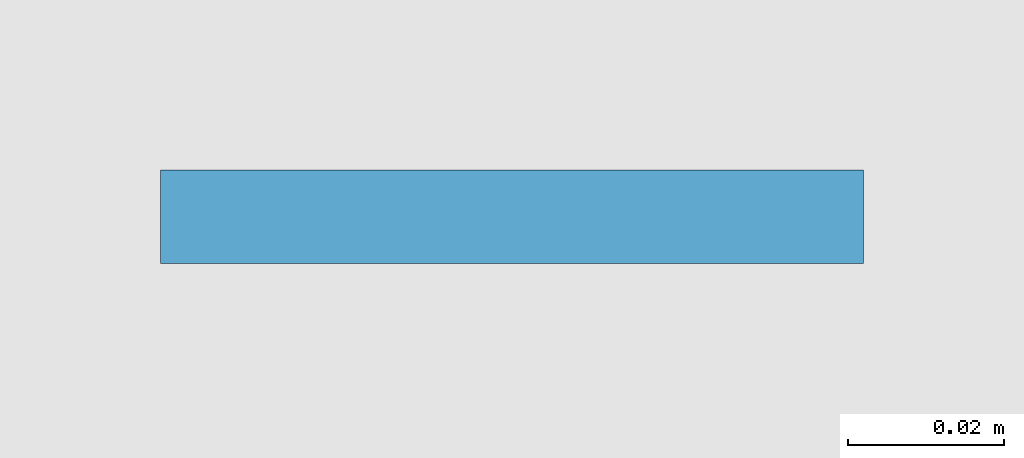
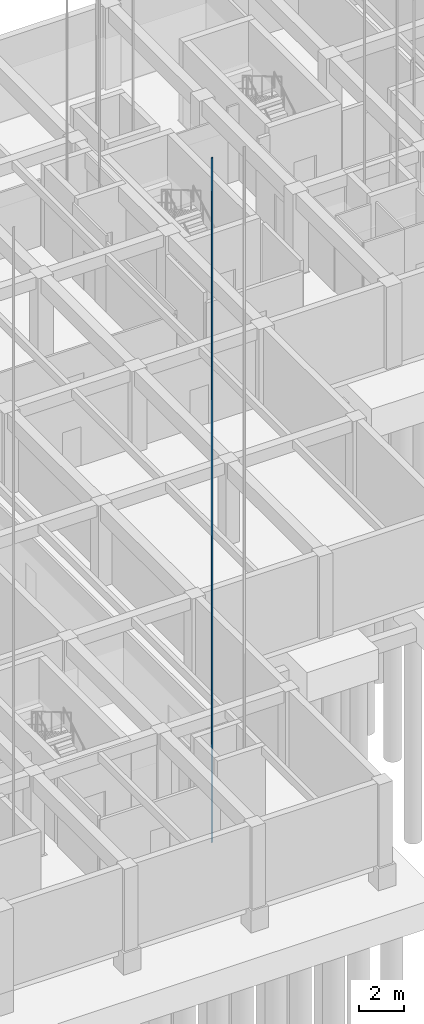
# One storey, part 18 of 44: 1 plate.
"""IFC4 building model written with IfcOpenShell, lengths in metres."""

from ifc_helpers import new_model, si_unit, direction, frame, origin, origin_2d, place, context, subcontext, project, spatial, rectangle, extrude, material, layer, layer_set, type_object, element, save


model = new_model("IFC4")

# Units and contexts
model_context = context("Model", 3, precision=1e-05, world=origin(), true_north=direction((0.0, 1.0)))
body_context = subcontext(model_context, "Body", "Model", "MODEL_VIEW")
ifc_project = project(units=[si_unit("LENGTHUNIT", "METRE"), si_unit("AREAUNIT", "SQUARE_METRE"), si_unit("VOLUMEUNIT", "CUBIC_METRE"), si_unit("PLANEANGLEUNIT", "RADIAN"), si_unit("MASSUNIT", "GRAM", prefix="KILO")], contexts=[model_context])

# Site, building, storey
site_placement = place(None, origin())
site = spatial("IfcSite", under=ifc_project, at=site_placement, CompositionType="ELEMENT")
building_placement = place(site_placement, origin())
building = spatial("IfcBuilding", under=site, at=building_placement, Name="Kolvaren Faculty of Natural Sciences", CompositionType="ELEMENT")
storey_placement = place(building_placement, frame((0.0, 0.0, -4.5)))
storey = spatial("IfcBuildingStorey", under=building, at=storey_placement, Name="B01", CompositionType="ELEMENT", Elevation=-4.5)

# Plate
ifc_material = material(Name="Structural steel EN 10025-2 S355J2", Category="steel")
ifc_layer = layer(ifc_material, 0.011962890625)
ifc_layer_set = layer_set([ifc_layer], Name="Structural steel EN 10025-2 S355J2")
plate_type = type_object("IfcPlateType", Name="LiftGuideRail_T89", PredefinedType="USERDEFINED", material=ifc_layer_set)
plate_placement = place(storey_placement, frame((133.510009765625, 31.5, -0.820068359375), z_axis=(0.0, 0.0, 1.0), x_axis=(1.0, 0.0, 0.0)))
element("IfcPlate", 1, at=plate_placement, inside=storey, type_object=plate_type, Name="Lift PL-3 steel guide rail 1", ObjectType="GUIDE RAIL", PredefinedType="USERDEFINED", context=body_context, shape_type="SweptSolid", body=[
    extrude(rectangle(XDim=0.090087890625, YDim=0.011962890625, at=origin_2d()), origin(), (0.0, 0.0, 1.0), 37.52001953125),
])

save(model, "model.ifc")
